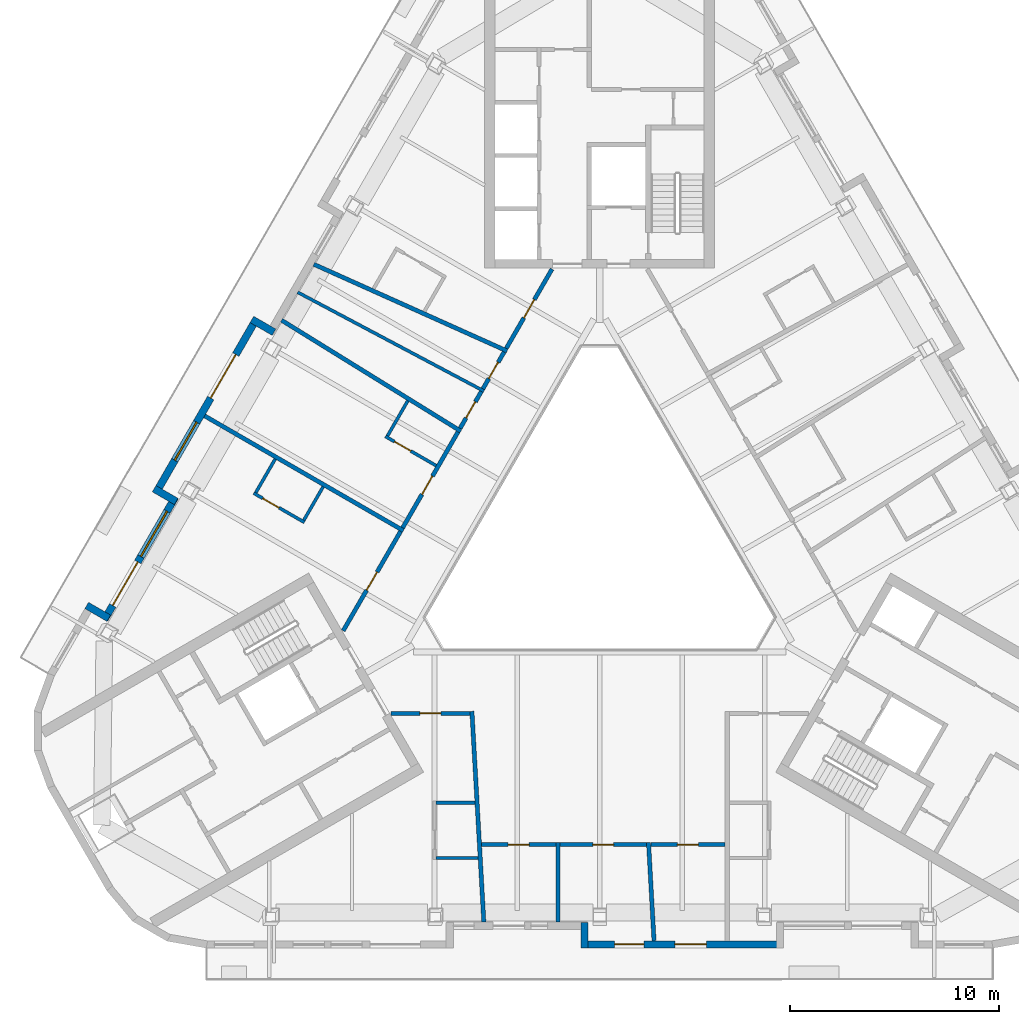
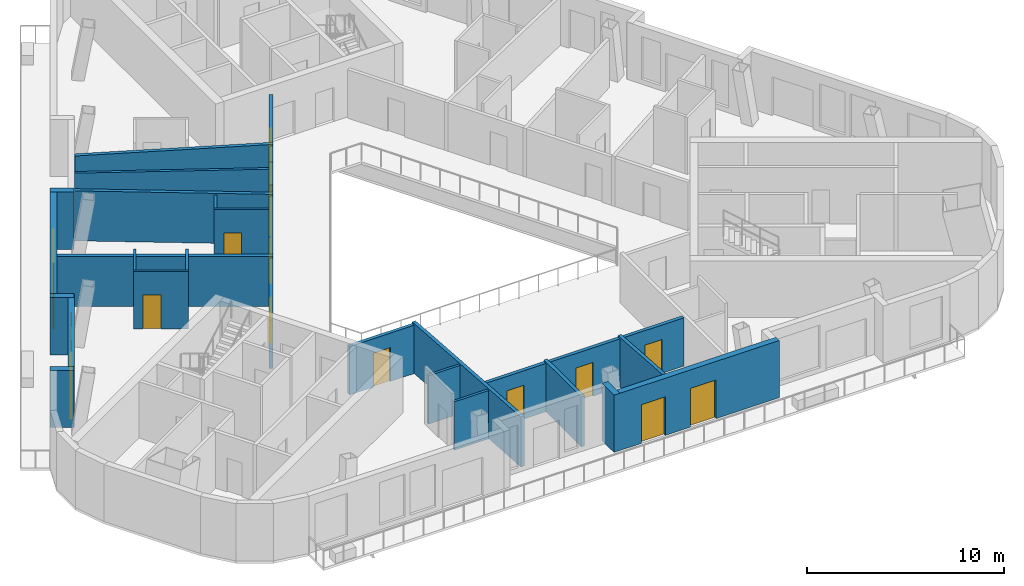
# One storey, part 4 of 14: 30 walls, 15 doors, 2 windows, 17 openings.
"""IFC4 building model written with IfcOpenShell, lengths in metres."""

from ifc_helpers import new_model, si_unit, direction, frame, frame_2d, origin, place, context, subcontext, project, spatial, rectangle, extrude, material, layer, layer_set, type_object, element, fill, save


model = new_model("IFC4")

# Units and contexts
model_context = context("Model", 3, precision=1e-05, world=origin(), true_north=direction((0.0, 1.0)))
body_context = subcontext(model_context, "Body", "Model", "MODEL_VIEW")
ifc_project = project(units=[si_unit("LENGTHUNIT", "METRE"), si_unit("AREAUNIT", "SQUARE_METRE"), si_unit("VOLUMEUNIT", "CUBIC_METRE"), si_unit("PLANEANGLEUNIT", "RADIAN"), si_unit("MASSUNIT", "GRAM", prefix="KILO")], contexts=[model_context])

# Site, building, storey
site_placement = place(None, origin())
site = spatial("IfcSite", under=ifc_project, at=site_placement, CompositionType="ELEMENT")
building_placement = place(site_placement, origin())
building = spatial("IfcBuilding", under=site, at=building_placement, Name="Apuvela Tower Hotel", CompositionType="ELEMENT")
storey_placement = place(building_placement, frame((0.0, 0.0, 254.10009765625)))
storey = spatial("IfcBuildingStorey", under=building, at=storey_placement, Name="L62", CompositionType="ELEMENT", Elevation=254.10009765625)

# Wall
ifc_material_1 = material(Name="Concrete C40/50, dark pigmented precast panel", Category="concrete")
ifc_layer_1 = layer(ifc_material_1, 0.35009765625)
ifc_layer_set_1 = layer_set([ifc_layer_1], Name="ENV-WALL-350")
wall_type_1 = type_object("IfcWallType", Name="ENV-WALL-350", PredefinedType="SOLIDWALL", material=ifc_layer_set_1)
wall_1_placement = place(storey_placement, frame((-15.580810546875, 9.8330078125, 0.0), z_axis=(0.0, 0.0, 1.0), x_axis=(-0.866055662726, 0.499947586314, 0.0)))
element("IfcWall", 1, at=wall_1_placement, inside=storey, type_object=wall_type_1, Name="External wall L62-04", PredefinedType="SOLIDWALL", context=body_context, shape_type="SweptSolid", body=[
    extrude(rectangle(XDim=1.220458984375, YDim=0.35009765625, at=frame_2d((0.6103515625, 0.0))), origin(), (0.0, 0.0, 1.0), 3.5498046875),
])

# Wall, openings, door, window
wall_2_placement = place(storey_placement, frame((-16.3984375, 10.507080078125, 0.0), z_axis=(0.0, 0.0, 1.0), x_axis=(-0.499999142773, -0.866025898704, 0.0)))
wall_2 = element("IfcWall", 2, at=wall_2_placement, inside=storey, type_object=wall_type_1, Name="External wall L62-05", PredefinedType="SOLIDWALL", context=body_context, shape_type="SweptSolid", body=[
    extrude(rectangle(XDim=9.7001953125, YDim=0.35009765625, at=frame_2d((4.85009765625, 0.0))), origin(), (0.0, 0.0, 1.0), 3.5498046875),
])
opening_1_placement = place(wall_2_placement, frame((2.014404296875, 0.0, 0.0)))
opening_1 = element("IfcOpeningElement", 3, at=opening_1_placement, cuts=wall_2, Name="Opening BD24", PredefinedType="OPENING", context=body_context, shape_type="SweptSolid", body=[
    extrude(rectangle(XDim=2.39990234375, YDim=2.39990234375, at=frame_2d((1.199951171875, 1.199951171875))), frame((0.0, 0.18505859375, 0.0), z_axis=(0.0, -1.0, 0.0), x_axis=(1.0, 0.0, 0.0)), (0.0, 0.0, 1.0), 0.3701171875),
])
opening_2_placement = place(wall_2_placement, frame((5.75, 0.0, 0.300048828125)))
opening_2 = element("IfcOpeningElement", 4, at=opening_2_placement, cuts=wall_2, Name="Opening WN21", PredefinedType="OPENING", context=body_context, shape_type="SweptSolid", body=[
    extrude(rectangle(XDim=2.10009765625, YDim=2.64990234375, at=frame_2d((1.050048828125, 1.324951171875))), frame((0.0, 0.18505859375, 0.0), z_axis=(0.0, -1.0, 0.0), x_axis=(1.0, 0.0, 0.0)), (0.0, 0.0, 1.0), 0.3701171875),
])
ifc_material_2 = material(Name="Aluminium 6063-T6, dark bronze anodised frame with dark tinted laminated glass", Category="aluminium")
door_type_1 = type_object("IfcDoorType", Name="ENV-DOOR-BALCONY-2400x2400", OperationType="SLIDING_TO_LEFT", PredefinedType="DOOR", material=ifc_material_2)
door_1_placement = place(opening_1_placement, frame((2.39990234375, 0.0, 0.0), z_axis=(0.0, 0.0, 1.0), x_axis=(-1.0, 0.0, 0.0)))
door_1 = element("IfcDoor", 5, at=door_1_placement, inside=storey, type_object=door_type_1, Name="Balcony door BD24", OperationType="SLIDING_TO_LEFT", OverallHeight=2.39990234375, OverallWidth=2.39990234375, PredefinedType="DOOR", context=body_context, shape_type="SweptSolid", body=[
    extrude(rectangle(XDim=2.39990234375, YDim=2.39990234375, at=frame_2d((1.199951171875, 1.199951171875))), frame((0.0, 0.02490234375, 0.0), z_axis=(0.0, -1.0, 0.0), x_axis=(1.0, 0.0, 0.0)), (0.0, 0.0, 1.0), 0.050048828125),
])
fill(opening_1, door_1)
ifc_material_3 = material(Name="Glass, dark tinted laminated insulated glazing unit", Category="glass")
window_type_1 = type_object("IfcWindowType", Name="ENV-WIN-2100x2650", PartitioningType="SINGLE_PANEL", PredefinedType="WINDOW", material=ifc_material_3)
window_1_placement = place(opening_2_placement, origin())
window_1 = element("IfcWindow", 6, at=window_1_placement, inside=storey, type_object=window_type_1, Name="Window WN21", OverallHeight=2.64990234375, OverallWidth=2.10009765625, PartitioningType="SINGLE_PANEL", PredefinedType="WINDOW", context=body_context, shape_type="SweptSolid", body=[
    extrude(rectangle(XDim=2.10009765625, YDim=2.64990234375, at=frame_2d((1.050048828125, 1.324951171875))), frame((0.0, 0.030029296875, 0.0), z_axis=(0.0, -1.0, 0.0), x_axis=(1.0, 0.0, 0.0)), (0.0, 0.0, 1.0), 0.06005859375),
])
fill(opening_2, window_1)

# Wall
wall_3_placement = place(storey_placement, frame((-21.3125, 2.345703125, 0.0), z_axis=(0.0, 0.0, 1.0), x_axis=(0.866005645448, -0.500034220881, 0.0)))
element("IfcWall", 7, at=wall_3_placement, inside=storey, type_object=wall_type_1, Name="External wall L62-06", PredefinedType="SOLIDWALL", context=body_context, shape_type="SweptSolid", body=[
    extrude(rectangle(XDim=1.22021484375, YDim=0.35009765625, at=frame_2d((0.610107421875, 0.0))), origin(), (0.0, 0.0, 1.0), 3.5498046875),
])

# Wall, openings, door, window
wall_4_placement = place(storey_placement, frame((-20.30908203125, 1.93359375, 0.0), z_axis=(0.0, 0.0, 1.0), x_axis=(-0.499992114976, -0.866029956157, 0.0)))
wall_4 = element("IfcWall", 8, at=wall_4_placement, inside=storey, type_object=wall_type_1, Name="External wall L62-07", PredefinedType="SOLIDWALL", context=body_context, shape_type="SweptSolid", body=[
    extrude(rectangle(XDim=6.73974609375, YDim=0.35009765625, at=frame_2d((3.369873046875, 0.0))), origin(), (0.0, 0.0, 1.0), 3.5498046875),
])
opening_3_placement = place(wall_4_placement, frame((3.570068359375, 0.0, 0.0)))
opening_3 = element("IfcOpeningElement", 9, at=opening_3_placement, cuts=wall_4, Name="Opening BD24", PredefinedType="OPENING", context=body_context, shape_type="SweptSolid", body=[
    extrude(rectangle(XDim=2.39990234375, YDim=2.39990234375, at=frame_2d((1.199951171875, 1.199951171875))), frame((0.0, 0.18505859375, 0.0), z_axis=(0.0, -1.0, 0.0), x_axis=(1.0, 0.0, 0.0)), (0.0, 0.0, 1.0), 0.3701171875),
])
opening_4_placement = place(wall_4_placement, frame((0.77001953125, 0.0, 0.300048828125)))
opening_4 = element("IfcOpeningElement", 10, at=opening_4_placement, cuts=wall_4, Name="Opening WN25", PredefinedType="OPENING", context=body_context, shape_type="SweptSolid", body=[
    extrude(rectangle(XDim=2.5, YDim=2.64990234375, at=frame_2d((1.25, 1.324951171875))), frame((0.0, 0.18505859375, 0.0), z_axis=(0.0, -1.0, 0.0), x_axis=(1.0, 0.0, 0.0)), (0.0, 0.0, 1.0), 0.3701171875),
])
door_2_placement = place(opening_3_placement, frame((2.39990234375, 0.0, 0.0), z_axis=(0.0, 0.0, 1.0), x_axis=(-1.0, 0.0, 0.0)))
door_2 = element("IfcDoor", 11, at=door_2_placement, inside=storey, type_object=door_type_1, Name="Balcony door BD24", OperationType="SLIDING_TO_LEFT", OverallHeight=2.39990234375, OverallWidth=2.39990234375, PredefinedType="DOOR", context=body_context, shape_type="SweptSolid", body=[
    extrude(rectangle(XDim=2.39990234375, YDim=2.39990234375, at=frame_2d((1.199951171875, 1.199951171875))), frame((0.0, 0.02490234375, 0.0), z_axis=(0.0, -1.0, 0.0), x_axis=(1.0, 0.0, 0.0)), (0.0, 0.0, 1.0), 0.050048828125),
])
fill(opening_3, door_2)
window_type_2 = type_object("IfcWindowType", Name="ENV-WIN-2500x2650", PartitioningType="SINGLE_PANEL", PredefinedType="WINDOW", material=ifc_material_3)
window_2_placement = place(opening_4_placement, origin())
window_2 = element("IfcWindow", 12, at=window_2_placement, inside=storey, type_object=window_type_2, Name="Window WN25", OverallHeight=2.64990234375, OverallWidth=2.5, PartitioningType="SINGLE_PANEL", PredefinedType="WINDOW", context=body_context, shape_type="SweptSolid", body=[
    extrude(rectangle(XDim=2.5, YDim=2.64990234375, at=frame_2d((1.25, 1.324951171875))), frame((0.0, 0.030029296875, 0.0), z_axis=(0.0, -1.0, 0.0), x_axis=(1.0, 0.0, 0.0)), (0.0, 0.0, 1.0), 0.06005859375),
])
fill(opening_4, window_2)

# Walls
for number, where, z_axis, x_axis, name in (
    (13, (-23.48095703125, -3.85009765625, 0.0), (0.0, 0.0, 1.0), (-0.866092288191, 0.499884134912, 0.0), "External wall L62-08"),
    (14, (-0.72509765625, -18.409912109375, 0.0), (0.0, 0.0, 1.0), (0.0, -1.0, 0.0), "External wall L62-20"),
):
    element("IfcWall", number, at=place(storey_placement, frame(where, z_axis=z_axis, x_axis=x_axis)), inside=storey, type_object=wall_type_1, Name=name, PredefinedType="SOLIDWALL", context=body_context, shape_type="SweptSolid", body=[
        extrude(rectangle(XDim=1.219970703125, YDim=0.35009765625, at=frame_2d((0.60986328125, 0.0))), origin(), (0.0, 0.0, 1.0), 3.5498046875),
    ])

# Wall, openings, doors
wall_5_placement = place(storey_placement, frame((-0.89990234375, -19.455078125, 0.0), z_axis=(0.0, 0.0, 1.0), x_axis=(1.0, 0.0, 0.0)))
wall_5 = element("IfcWall", 15, at=wall_5_placement, inside=storey, type_object=wall_type_1, Name="External wall L62-21", PredefinedType="SOLIDWALL", context=body_context, shape_type="SweptSolid", body=[
    extrude(rectangle(XDim=9.699951171875, YDim=0.35009765625, at=frame_2d((4.85009765625, 0.0))), origin(), (0.0, 0.0, 1.0), 3.5498046875),
])
opening_5_placement = place(wall_5_placement, frame((1.614501953125, 0.0, 0.0)))
opening_5 = element("IfcOpeningElement", 16, at=opening_5_placement, cuts=wall_5, Name="Opening BD14", PredefinedType="OPENING", context=body_context, shape_type="SweptSolid", body=[
    extrude(rectangle(XDim=1.39990234375, YDim=2.39990234375, at=frame_2d((0.699951171875, 1.199951171875))), frame((0.0, 0.18505859375, 0.0), z_axis=(0.0, -1.0, 0.0), x_axis=(1.0, 0.0, 0.0)), (0.0, 0.0, 1.0), 0.3701171875),
])
opening_6_placement = place(wall_5_placement, frame((4.5, 0.0, 0.0)))
opening_6 = element("IfcOpeningElement", 17, at=opening_6_placement, cuts=wall_5, Name="Opening BD15", PredefinedType="OPENING", context=body_context, shape_type="SweptSolid", body=[
    extrude(rectangle(XDim=1.5, YDim=2.39990234375, at=frame_2d((0.75, 1.199951171875))), frame((0.0, 0.18505859375, 0.0), z_axis=(0.0, -1.0, 0.0), x_axis=(1.0, 0.0, 0.0)), (0.0, 0.0, 1.0), 0.3701171875),
])
door_type_2 = type_object("IfcDoorType", Name="ENV-DOOR-BALCONY-1400x2400", OperationType="SLIDING_TO_LEFT", PredefinedType="DOOR", material=ifc_material_2)
door_3_placement = place(opening_5_placement, frame((1.39990234375, 0.0, 0.0), z_axis=(0.0, 0.0, 1.0), x_axis=(-1.0, 0.0, 0.0)))
door_3 = element("IfcDoor", 18, at=door_3_placement, inside=storey, type_object=door_type_2, Name="Balcony door BD14", OperationType="SLIDING_TO_LEFT", OverallHeight=2.39990234375, OverallWidth=1.39990234375, PredefinedType="DOOR", context=body_context, shape_type="SweptSolid", body=[
    extrude(rectangle(XDim=1.39990234375, YDim=2.39990234375, at=frame_2d((0.699951171875, 1.199951171875))), frame((0.0, 0.02490234375, 0.0), z_axis=(0.0, -1.0, 0.0), x_axis=(1.0, 0.0, 0.0)), (0.0, 0.0, 1.0), 0.050048828125),
])
fill(opening_5, door_3)
door_type_3 = type_object("IfcDoorType", Name="ENV-DOOR-BALCONY-1500x2400", OperationType="SLIDING_TO_LEFT", PredefinedType="DOOR", material=ifc_material_2)
door_4_placement = place(opening_6_placement, frame((1.5, 0.0, 0.0), z_axis=(0.0, 0.0, 1.0), x_axis=(-1.0, 0.0, 0.0)))
door_4 = element("IfcDoor", 19, at=door_4_placement, inside=storey, type_object=door_type_3, Name="Balcony door BD15", OperationType="SLIDING_TO_LEFT", OverallHeight=2.39990234375, OverallWidth=1.5, PredefinedType="DOOR", context=body_context, shape_type="SweptSolid", body=[
    extrude(rectangle(XDim=1.5, YDim=2.39990234375, at=frame_2d((0.75, 1.199951171875))), frame((0.0, 0.02490234375, 0.0), z_axis=(0.0, -1.0, 0.0), x_axis=(1.0, 0.0, 0.0)), (0.0, 0.0, 1.0), 0.050048828125),
])
fill(opening_6, door_4)

# Walls
ifc_material_4 = material(Name="Gypsum board partition on twin steel stud", Category="steel")
ifc_layer_2 = layer(ifc_material_4, 0.199951171875)
ifc_layer_set_2 = layer_set([ifc_layer_2], Name="GST-PW1")
wall_type_2 = type_object("IfcWallType", Name="GST-PW1", PredefinedType="PARTITIONING", material=ifc_layer_set_2)
wall_6_placement = place(storey_placement, frame((-5.541015625, -18.3798828125, 0.0), z_axis=(0.0, 0.0, 1.0), x_axis=(-0.056489207214, 0.998403209865, 0.0)))
element("IfcWall", 20, at=wall_6_placement, inside=storey, type_object=wall_type_2, Name="L62 partition 01", PredefinedType="PARTITIONING", context=body_context, shape_type="SweptSolid", body=[
    extrude(rectangle(XDim=10.095947265625, YDim=0.199951171875, at=frame_2d((5.0478515625, 0.0))), origin(), (0.0, 0.0, 1.0), 3.099853515625),
])
wall_7_placement = place(storey_placement, frame((-2.0, -18.3798828125, 0.0), z_axis=(0.0, 0.0, 1.0), x_axis=(0.0, 1.0, 0.0)))
element("IfcWall", 21, at=wall_7_placement, inside=storey, type_object=wall_type_2, Name="L62 partition 02", PredefinedType="PARTITIONING", context=body_context, shape_type="SweptSolid", body=[
    extrude(rectangle(XDim=3.7998046875, YDim=0.199951171875, at=frame_2d((1.89990234375, 0.0))), origin(), (0.0, 0.0, 1.0), 3.099853515625),
])
wall_8_placement = place(storey_placement, frame((2.60009765625, -19.280029296875, 0.0), z_axis=(0.0, 0.0, 1.0), x_axis=(-0.055599282702, 0.99845316353, 0.0)))
element("IfcWall", 22, at=wall_8_placement, inside=storey, type_object=wall_type_2, Name="L62 partition 03", PredefinedType="PARTITIONING", context=body_context, shape_type="SweptSolid", body=[
    extrude(rectangle(XDim=4.707275390625, YDim=0.199951171875, at=frame_2d((2.353515625, 0.0))), origin(), (0.0, 0.0, 1.0), 3.099853515625),
])
wall_9_placement = place(storey_placement, frame((-13.671630859375, 13.080078125, 0.0), z_axis=(0.0, 0.0, 1.0), x_axis=(0.912311972773, -0.409495866077, 0.0)))
element("IfcWall", 23, at=wall_9_placement, inside=storey, type_object=wall_type_2, Name="L62 partition 08", PredefinedType="PARTITIONING", context=body_context, shape_type="SweptSolid", body=[
    extrude(rectangle(XDim=10.13232421875, YDim=0.199951171875, at=frame_2d((5.066162109375, 0.0))), origin(), (0.0, 0.0, 1.0), 3.099853515625),
])
wall_10_placement = place(storey_placement, frame((-15.21630859375, 10.404541015625, 0.0), z_axis=(0.0, 0.0, 1.0), x_axis=(0.85032395783, -0.52625960014, 0.0)))
element("IfcWall", 24, at=wall_10_placement, inside=storey, type_object=wall_type_2, Name="L62 partition 09", PredefinedType="PARTITIONING", context=body_context, shape_type="SweptSolid", body=[
    extrude(rectangle(XDim=10.084716796875, YDim=0.199951171875, at=frame_2d((5.04248046875, 0.0))), origin(), (0.0, 0.0, 1.0), 3.099853515625),
])
wall_11_placement = place(storey_placement, frame((-18.89697265625, 5.82958984375, 0.0), z_axis=(0.0, 0.0, 1.0), x_axis=(0.866027479907, -0.499996404033, 0.0)))
element("IfcWall", 25, at=wall_11_placement, inside=storey, type_object=wall_type_2, Name="L62 partition 10", PredefinedType="PARTITIONING", context=body_context, shape_type="SweptSolid", body=[
    extrude(rectangle(XDim=10.97998046875, YDim=0.199951171875, at=frame_2d((5.489990234375, 0.0))), origin(), (0.0, 0.0, 1.0), 3.099853515625),
])

# Wall, opening, door
ifc_material_5 = material(Name="Gypsum board corridor wall on twin steel stud, acoustic", Category="steel")
ifc_layer_3 = layer(ifc_material_5, 0.199951171875)
ifc_layer_set_3 = layer_set([ifc_layer_3], Name="GST-PW2")
wall_type_3 = type_object("IfcWallType", Name="GST-PW2", PredefinedType="PARTITIONING", material=ifc_layer_set_3)
wall_12_placement = place(storey_placement, frame((-6.205810546875, -8.39990234375, 0.0), z_axis=(0.0, 0.0, 1.0), x_axis=(-1.0, 0.0, 0.0)))
wall_12 = element("IfcWall", 26, at=wall_12_placement, inside=storey, type_object=wall_type_3, Name="L62 partition 11", PredefinedType="PARTITIONING", context=body_context, shape_type="SweptSolid", body=[
    extrude(rectangle(XDim=3.782470703125, YDim=0.199951171875, at=frame_2d((1.89111328125, 0.0))), origin(), (0.0, 0.0, 1.0), 3.0),
])
opening_7_placement = place(wall_12_placement, frame((1.39111328125, 0.0, 0.0)))
opening_7 = element("IfcOpeningElement", 27, at=opening_7_placement, cuts=wall_12, Name="Opening GD24-02", PredefinedType="OPENING", context=body_context, shape_type="SweptSolid", body=[
    extrude(rectangle(XDim=1.0, YDim=2.10009765625, at=frame_2d((0.5, 1.050048828125))), frame((0.0, 0.10986328125, 0.0), z_axis=(0.0, -1.0, 0.0), x_axis=(1.0, 0.0, 0.0)), (0.0, 0.0, 1.0), 0.219970703125),
])
ifc_material_6 = material(Name="Timber door leaf in steel frame", Category="steel")
door_type_4 = type_object("IfcDoorType", Name="GST-D1", OperationType="NOTDEFINED", PredefinedType="DOOR", material=ifc_material_6)
door_5_placement = place(opening_7_placement, origin())
door_5 = element("IfcDoor", 28, at=door_5_placement, inside=storey, type_object=door_type_4, Name="Door L62-02", OperationType="SINGLE_SWING_LEFT", OverallHeight=2.10009765625, OverallWidth=1.0, PredefinedType="DOOR", context=body_context, shape_type="SweptSolid", body=[
    extrude(rectangle(XDim=1.0, YDim=2.10009765625, at=frame_2d((0.5, 1.050048828125))), frame((0.0, 0.02490234375, 0.0), z_axis=(0.0, -1.0, 0.0), x_axis=(1.0, 0.0, 0.0)), (0.0, 0.0, 1.0), 0.050048828125),
])
fill(opening_7, door_5)

wall_13_placement = place(storey_placement, frame((-2.10009765625, -14.679931640625, 0.0), z_axis=(0.0, 0.0, 1.0), x_axis=(-1.0, 0.0, 0.0)))
wall_13 = element("IfcWall", 29, at=wall_13_placement, inside=storey, type_object=wall_type_3, Name="L62 partition 15", PredefinedType="PARTITIONING", context=body_context, shape_type="SweptSolid", body=[
    extrude(rectangle(XDim=3.550048828125, YDim=0.199951171875, at=frame_2d((1.77490234375, 0.0))), origin(), (0.0, 0.0, 1.0), 3.0),
])
opening_8_placement = place(wall_13_placement, frame((1.275146484375, 0.0, 0.0)))
opening_8 = element("IfcOpeningElement", 30, at=opening_8_placement, cuts=wall_13, Name="Opening GD24-03", PredefinedType="OPENING", context=body_context, shape_type="SweptSolid", body=[
    extrude(rectangle(XDim=1.0, YDim=2.10009765625, at=frame_2d((0.5, 1.050048828125))), frame((0.0, 0.10986328125, 0.0), z_axis=(0.0, -1.0, 0.0), x_axis=(1.0, 0.0, 0.0)), (0.0, 0.0, 1.0), 0.219970703125),
])
door_6_placement = place(opening_8_placement, origin())
door_6 = element("IfcDoor", 31, at=door_6_placement, inside=storey, type_object=door_type_4, Name="Door L62-03", OperationType="SINGLE_SWING_LEFT", OverallHeight=2.10009765625, OverallWidth=1.0, PredefinedType="DOOR", context=body_context, shape_type="SweptSolid", body=[
    extrude(rectangle(XDim=1.0, YDim=2.10009765625, at=frame_2d((0.5, 1.050048828125))), frame((0.0, 0.02490234375, 0.0), z_axis=(0.0, -1.0, 0.0), x_axis=(1.0, 0.0, 0.0)), (0.0, 0.0, 1.0), 0.050048828125),
])
fill(opening_8, door_6)

wall_14_placement = place(storey_placement, frame((2.243896484375, -14.679931640625, 0.0), z_axis=(0.0, 0.0, 1.0), x_axis=(-1.0, 0.0, 0.0)))
wall_14 = element("IfcWall", 32, at=wall_14_placement, inside=storey, type_object=wall_type_3, Name="L62 partition 16", PredefinedType="PARTITIONING", context=body_context, shape_type="SweptSolid", body=[
    extrude(rectangle(XDim=4.143798828125, YDim=0.199951171875, at=frame_2d((2.07177734375, 0.0))), origin(), (0.0, 0.0, 1.0), 3.0),
])
opening_9_placement = place(wall_14_placement, frame((1.572021484375, 0.0, 0.0)))
opening_9 = element("IfcOpeningElement", 33, at=opening_9_placement, cuts=wall_14, Name="Opening GD24-04", PredefinedType="OPENING", context=body_context, shape_type="SweptSolid", body=[
    extrude(rectangle(XDim=1.0, YDim=2.10009765625, at=frame_2d((0.5, 1.050048828125))), frame((0.0, 0.10986328125, 0.0), z_axis=(0.0, -1.0, 0.0), x_axis=(1.0, 0.0, 0.0)), (0.0, 0.0, 1.0), 0.219970703125),
])
door_7_placement = place(opening_9_placement, origin())
door_7 = element("IfcDoor", 34, at=door_7_placement, inside=storey, type_object=door_type_4, Name="Door L62-04", OperationType="SINGLE_SWING_LEFT", OverallHeight=2.10009765625, OverallWidth=1.0, PredefinedType="DOOR", context=body_context, shape_type="SweptSolid", body=[
    extrude(rectangle(XDim=1.0, YDim=2.10009765625, at=frame_2d((0.5, 1.050048828125))), frame((0.0, 0.02490234375, 0.0), z_axis=(0.0, -1.0, 0.0), x_axis=(1.0, 0.0, 0.0)), (0.0, 0.0, 1.0), 0.050048828125),
])
fill(opening_9, door_7)

wall_15_placement = place(storey_placement, frame((6.0, -14.679931640625, 0.0), z_axis=(0.0, 0.0, 1.0), x_axis=(-1.0, 0.0, 0.0)))
wall_15 = element("IfcWall", 35, at=wall_15_placement, inside=storey, type_object=wall_type_3, Name="L62 partition 17", PredefinedType="PARTITIONING", context=body_context, shape_type="SweptSolid", body=[
    extrude(rectangle(XDim=3.555908203125, YDim=0.199951171875, at=frame_2d((1.77783203125, 0.0))), origin(), (0.0, 0.0, 1.0), 3.0),
])
opening_10_placement = place(wall_15_placement, frame((1.27783203125, 0.0, 0.0)))
opening_10 = element("IfcOpeningElement", 36, at=opening_10_placement, cuts=wall_15, Name="Opening GD24-05", PredefinedType="OPENING", context=body_context, shape_type="SweptSolid", body=[
    extrude(rectangle(XDim=1.0, YDim=2.10009765625, at=frame_2d((0.5, 1.050048828125))), frame((0.0, 0.10986328125, 0.0), z_axis=(0.0, -1.0, 0.0), x_axis=(1.0, 0.0, 0.0)), (0.0, 0.0, 1.0), 0.219970703125),
])
door_8_placement = place(opening_10_placement, origin())
door_8 = element("IfcDoor", 37, at=door_8_placement, inside=storey, type_object=door_type_4, Name="Door L62-05", OperationType="SINGLE_SWING_LEFT", OverallHeight=2.10009765625, OverallWidth=1.0, PredefinedType="DOOR", context=body_context, shape_type="SweptSolid", body=[
    extrude(rectangle(XDim=1.0, YDim=2.10009765625, at=frame_2d((0.5, 1.050048828125))), frame((0.0, 0.02490234375, 0.0), z_axis=(0.0, -1.0, 0.0), x_axis=(1.0, 0.0, 0.0)), (0.0, 0.0, 1.0), 0.050048828125),
])
fill(opening_10, door_8)

wall_16_placement = place(storey_placement, frame((-4.46923828125, 9.05908203125, 0.0), z_axis=(0.0, 0.0, 1.0), x_axis=(0.499996027077, 0.86602769754, 0.0)))
wall_16 = element("IfcWall", 38, at=wall_16_placement, inside=storey, type_object=wall_type_3, Name="L62 partition 36", PredefinedType="PARTITIONING", context=body_context, shape_type="SweptSolid", body=[
    extrude(rectangle(XDim=4.37744140625, YDim=0.199951171875, at=frame_2d((2.188720703125, 0.0))), origin(), (0.0, 0.0, 1.0), 3.0),
])
opening_11_placement = place(wall_16_placement, frame((1.688720703125, 0.0, 0.0)))
opening_11 = element("IfcOpeningElement", 39, at=opening_11_placement, cuts=wall_16, Name="Opening GD24-17", PredefinedType="OPENING", context=body_context, shape_type="SweptSolid", body=[
    extrude(rectangle(XDim=1.0, YDim=2.10009765625, at=frame_2d((0.5, 1.050048828125))), frame((0.0, 0.10986328125, 0.0), z_axis=(0.0, -1.0, 0.0), x_axis=(1.0, 0.0, 0.0)), (0.0, 0.0, 1.0), 0.219970703125),
])
door_9_placement = place(opening_11_placement, origin())
door_9 = element("IfcDoor", 40, at=door_9_placement, inside=storey, type_object=door_type_4, Name="Door L62-17", OperationType="SINGLE_SWING_LEFT", OverallHeight=2.10009765625, OverallWidth=1.0, PredefinedType="DOOR", context=body_context, shape_type="SweptSolid", body=[
    extrude(rectangle(XDim=1.0, YDim=2.10009765625, at=frame_2d((0.5, 1.050048828125))), frame((0.0, 0.02490234375, 0.0), z_axis=(0.0, -1.0, 0.0), x_axis=(1.0, 0.0, 0.0)), (0.0, 0.0, 1.0), 0.050048828125),
])
fill(opening_11, door_9)

wall_17_placement = place(storey_placement, frame((-5.585205078125, 7.1259765625, 0.0), z_axis=(0.0, 0.0, 1.0), x_axis=(0.499927092639, 0.866067492777, 0.0)))
wall_17 = element("IfcWall", 41, at=wall_17_placement, inside=storey, type_object=wall_type_3, Name="L62 partition 41", PredefinedType="PARTITIONING", context=body_context, shape_type="SweptSolid", body=[
    extrude(rectangle(XDim=2.031005859375, YDim=0.199951171875, at=frame_2d((1.015625, 0.0))), origin(), (0.0, 0.0, 1.0), 3.0),
])
opening_12_placement = place(wall_17_placement, frame((0.565673828125, 0.0, 0.0)))
opening_12 = element("IfcOpeningElement", 42, at=opening_12_placement, cuts=wall_17, Name="Opening GD24-18", PredefinedType="OPENING", context=body_context, shape_type="SweptSolid", body=[
    extrude(rectangle(XDim=0.89990234375, YDim=2.10009765625, at=frame_2d((0.449951171875, 1.050048828125))), frame((0.0, 0.10986328125, 0.0), z_axis=(0.0, -1.0, 0.0), x_axis=(1.0, 0.0, 0.0)), (0.0, 0.0, 1.0), 0.219970703125),
])
door_type_5 = type_object("IfcDoorType", Name="GST-D2", OperationType="NOTDEFINED", PredefinedType="DOOR", material=ifc_material_6)
door_10_placement = place(opening_12_placement, origin())
door_10 = element("IfcDoor", 43, at=door_10_placement, inside=storey, type_object=door_type_5, Name="Door L62-18", OperationType="SINGLE_SWING_LEFT", OverallHeight=2.10009765625, OverallWidth=0.89990234375, PredefinedType="DOOR", context=body_context, shape_type="SweptSolid", body=[
    extrude(rectangle(XDim=0.89990234375, YDim=2.10009765625, at=frame_2d((0.449951171875, 1.050048828125))), frame((0.0, 0.02490234375, 0.0), z_axis=(0.0, -1.0, 0.0), x_axis=(1.0, 0.0, 0.0)), (0.0, 0.0, 1.0), 0.050048828125),
])
fill(opening_12, door_10)

wall_18_placement = place(storey_placement, frame((-6.676025390625, 5.236572265625, 0.0), z_axis=(0.0, 0.0, 1.0), x_axis=(0.499913168514, 0.866075530163, 0.0)))
wall_18 = element("IfcWall", 44, at=wall_18_placement, inside=storey, type_object=wall_type_3, Name="L62 partition 42", PredefinedType="PARTITIONING", context=body_context, shape_type="SweptSolid", body=[
    extrude(rectangle(XDim=2.031494140625, YDim=0.199951171875, at=frame_2d((1.015625, 0.0))), origin(), (0.0, 0.0, 1.0), 3.5498046875),
])
opening_13_placement = place(wall_18_placement, frame((0.56591796875, 0.0, 0.0)))
opening_13 = element("IfcOpeningElement", 45, at=opening_13_placement, cuts=wall_18, Name="Opening GD24-19", PredefinedType="OPENING", context=body_context, shape_type="SweptSolid", body=[
    extrude(rectangle(XDim=0.89990234375, YDim=2.10009765625, at=frame_2d((0.449951171875, 1.050048828125))), frame((0.0, 0.10986328125, 0.0), z_axis=(0.0, -1.0, 0.0), x_axis=(1.0, 0.0, 0.0)), (0.0, 0.0, 1.0), 0.219970703125),
])
door_11_placement = place(opening_13_placement, origin())
door_11 = element("IfcDoor", 46, at=door_11_placement, inside=storey, type_object=door_type_5, Name="Door L62-19", OperationType="SINGLE_SWING_RIGHT", OverallHeight=2.10009765625, OverallWidth=0.89990234375, PredefinedType="DOOR", context=body_context, shape_type="SweptSolid", body=[
    extrude(rectangle(XDim=0.89990234375, YDim=2.10009765625, at=frame_2d((0.449951171875, 1.050048828125))), frame((0.0, 0.02490234375, 0.0), z_axis=(0.0, -1.0, 0.0), x_axis=(1.0, 0.0, 0.0)), (0.0, 0.0, 1.0), 0.050048828125),
])
fill(opening_13, door_11)

wall_19_placement = place(storey_placement, frame((-9.424560546875, 0.47607421875, 0.0), z_axis=(0.0, 0.0, 1.0), x_axis=(0.500005731256, 0.866022094817, 0.0)))
wall_19 = element("IfcWall", 47, at=wall_19_placement, inside=storey, type_object=wall_type_3, Name="L62 partition 43", PredefinedType="PARTITIONING", context=body_context, shape_type="SweptSolid", body=[
    extrude(rectangle(XDim=5.296875, YDim=0.199951171875, at=frame_2d((2.6484375, 0.0))), origin(), (0.0, 0.0, 1.0), 3.0),
])
opening_14_placement = place(wall_19_placement, frame((1.849853515625, 0.0, 0.0)))
opening_14 = element("IfcOpeningElement", 48, at=opening_14_placement, cuts=wall_19, Name="Opening GD24-21", PredefinedType="OPENING", context=body_context, shape_type="SweptSolid", body=[
    extrude(rectangle(XDim=1.0, YDim=2.10009765625, at=frame_2d((0.5, 1.050048828125))), frame((0.0, 0.10986328125, 0.0), z_axis=(0.0, -1.0, 0.0), x_axis=(1.0, 0.0, 0.0)), (0.0, 0.0, 1.0), 0.219970703125),
])
door_12_placement = place(opening_14_placement, origin())
door_12 = element("IfcDoor", 49, at=door_12_placement, inside=storey, type_object=door_type_4, Name="Door L62-21", OperationType="SINGLE_SWING_LEFT", OverallHeight=2.10009765625, OverallWidth=1.0, PredefinedType="DOOR", context=body_context, shape_type="SweptSolid", body=[
    extrude(rectangle(XDim=1.0, YDim=2.10009765625, at=frame_2d((0.5, 1.050048828125))), frame((0.0, 0.02490234375, 0.0), z_axis=(0.0, -1.0, 0.0), x_axis=(1.0, 0.0, 0.0)), (0.0, 0.0, 1.0), 0.050048828125),
])
fill(opening_14, door_12)

wall_20_placement = place(storey_placement, frame((-12.268798828125, -4.449951171875, 0.0), z_axis=(0.0, 0.0, 1.0), x_axis=(0.500004836318, 0.866022611517, 0.0)))
wall_20 = element("IfcWall", 50, at=wall_20_placement, inside=storey, type_object=wall_type_3, Name="L62 partition 46", PredefinedType="PARTITIONING", context=body_context, shape_type="SweptSolid", body=[
    extrude(rectangle(XDim=5.48828125, YDim=0.199951171875, at=frame_2d((2.744140625, 0.0))), origin(), (0.0, 0.0, 1.0), 3.0),
])
opening_15_placement = place(wall_20_placement, frame((2.244140625, 0.0, 0.0)))
opening_15 = element("IfcOpeningElement", 51, at=opening_15_placement, cuts=wall_20, Name="Opening GD24-23", PredefinedType="OPENING", context=body_context, shape_type="SweptSolid", body=[
    extrude(rectangle(XDim=1.0, YDim=2.10009765625, at=frame_2d((0.5, 1.050048828125))), frame((0.0, 0.10986328125, 0.0), z_axis=(0.0, -1.0, 0.0), x_axis=(1.0, 0.0, 0.0)), (0.0, 0.0, 1.0), 0.219970703125),
])
door_13_placement = place(opening_15_placement, origin())
door_13 = element("IfcDoor", 52, at=door_13_placement, inside=storey, type_object=door_type_4, Name="Door L62-23", OperationType="SINGLE_SWING_RIGHT", OverallHeight=2.10009765625, OverallWidth=1.0, PredefinedType="DOOR", context=body_context, shape_type="SweptSolid", body=[
    extrude(rectangle(XDim=1.0, YDim=2.10009765625, at=frame_2d((0.5, 1.050048828125))), frame((0.0, 0.02490234375, 0.0), z_axis=(0.0, -1.0, 0.0), x_axis=(1.0, 0.0, 0.0)), (0.0, 0.0, 1.0), 0.050048828125),
])
fill(opening_15, door_13)

# Walls
ifc_material_7 = material(Name="Moisture-resistant gypsum board wet wall on steel stud", Category="steel")
ifc_layer_4 = layer(ifc_material_7, 0.14990234375)
ifc_layer_set_4 = layer_set([ifc_layer_4], Name="GST-PW3")
wall_type_4 = type_object("IfcWallType", Name="GST-PW3", PredefinedType="PARTITIONING", material=ifc_layer_set_4)
wall_21_placement = place(storey_placement, frame((-7.818115234375, -15.324951171875, 0.0), z_axis=(0.0, 0.0, 1.0), x_axis=(1.0, 0.0, 0.0)))
element("IfcWall", 53, at=wall_21_placement, inside=storey, type_object=wall_type_4, Name="L62 partition 13", PredefinedType="PARTITIONING", context=body_context, shape_type="SweptSolid", body=[
    extrude(rectangle(XDim=2.004150390625, YDim=0.14990234375, at=frame_2d((1.001953125, 0.0))), origin(), (0.0, 0.0, 1.0), 3.0),
])
wall_22_placement = place(storey_placement, frame((-7.818115234375, -12.675048828125, 0.0), z_axis=(0.0, 0.0, 1.0), x_axis=(1.0, 0.0, 0.0)))
element("IfcWall", 54, at=wall_22_placement, inside=storey, type_object=wall_type_4, Name="L62 partition 14", PredefinedType="PARTITIONING", context=body_context, shape_type="SweptSolid", body=[
    extrude(rectangle(XDim=1.854248046875, YDim=0.14990234375, at=frame_2d((0.92724609375, 0.0))), origin(), (0.0, 0.0, 1.0), 3.0),
])
wall_23_placement = place(storey_placement, frame((-14.444091796875, 11.7421875, 0.0), z_axis=(0.0, 0.0, 1.0), x_axis=(0.88333061271, -0.468750497225, 0.0)))
element("IfcWall", 55, at=wall_23_placement, inside=storey, type_object=wall_type_4, Name="L62 partition 40", PredefinedType="PARTITIONING", context=body_context, shape_type="SweptSolid", body=[
    extrude(rectangle(XDim=10.08642578125, YDim=0.14990234375, at=frame_2d((5.043212890625, 0.0))), origin(), (0.0, 0.0, 1.0), 3.099853515625),
])

# Wall, opening, door
wall_24_placement = place(storey_placement, frame((-10.24853515625, 4.848876953125, 0.0), z_axis=(0.0, 0.0, 1.0), x_axis=(0.866034573852, -0.49998411664, 0.0)))
wall_24 = element("IfcWall", 56, at=wall_24_placement, inside=storey, type_object=wall_type_4, Name="L62 partition 44", PredefinedType="PARTITIONING", context=body_context, shape_type="SweptSolid", body=[
    extrude(rectangle(XDim=2.7998046875, YDim=0.14990234375, at=frame_2d((1.39990234375, 0.0))), origin(), (0.0, 0.0, 1.0), 3.5498046875),
])
opening_16_placement = place(wall_24_placement, frame((0.5, 0.0, 0.0)))
opening_16 = element("IfcOpeningElement", 57, at=opening_16_placement, cuts=wall_24, Name="Opening GD24-20", PredefinedType="OPENING", context=body_context, shape_type="SweptSolid", body=[
    extrude(rectangle(XDim=0.89990234375, YDim=2.10009765625, at=frame_2d((0.449951171875, 1.050048828125))), frame((0.0, 0.0849609375, 0.0), z_axis=(0.0, -1.0, 0.0), x_axis=(1.0, 0.0, 0.0)), (0.0, 0.0, 1.0), 0.169921875),
])
door_14_placement = place(opening_16_placement, origin())
door_14 = element("IfcDoor", 58, at=door_14_placement, inside=storey, type_object=door_type_5, Name="Door L62-20", OperationType="SINGLE_SWING_LEFT", OverallHeight=2.10009765625, OverallWidth=0.89990234375, PredefinedType="DOOR", context=body_context, shape_type="SweptSolid", body=[
    extrude(rectangle(XDim=0.89990234375, YDim=2.10009765625, at=frame_2d((0.449951171875, 1.050048828125))), frame((0.0, 0.02490234375, 0.0), z_axis=(0.0, -1.0, 0.0), x_axis=(1.0, 0.0, 0.0)), (0.0, 0.0, 1.0), 0.050048828125),
])
fill(opening_16, door_14)

# Wall
wall_25_placement = place(storey_placement, frame((-9.179443359375, 6.55078125, 0.0), z_axis=(0.0, 0.0, 1.0), x_axis=(-0.499995691662, -0.86602789119, 0.0)))
element("IfcWall", 59, at=wall_25_placement, inside=storey, type_object=wall_type_4, Name="L62 partition 45", PredefinedType="PARTITIONING", context=body_context, shape_type="SweptSolid", body=[
    extrude(rectangle(XDim=1.93359375, YDim=0.14990234375, at=frame_2d((0.966796875, 0.0))), origin(), (0.0, 0.0, 1.0), 3.0),
])

# Wall, opening, door
wall_26_placement = place(storey_placement, frame((-16.54931640625, 2.1357421875, 0.0), z_axis=(0.0, 0.0, 1.0), x_axis=(0.866034573852, -0.49998411664, 0.0)))
wall_26 = element("IfcWall", 60, at=wall_26_placement, inside=storey, type_object=wall_type_4, Name="L62 partition 47", PredefinedType="PARTITIONING", context=body_context, shape_type="SweptSolid", body=[
    extrude(rectangle(XDim=2.7998046875, YDim=0.14990234375, at=frame_2d((1.39990234375, 0.0))), origin(), (0.0, 0.0, 1.0), 3.5498046875),
])
opening_17_placement = place(wall_26_placement, frame((0.5, 0.0, 0.0)))
opening_17 = element("IfcOpeningElement", 61, at=opening_17_placement, cuts=wall_26, Name="Opening GD24-22", PredefinedType="OPENING", context=body_context, shape_type="SweptSolid", body=[
    extrude(rectangle(XDim=0.89990234375, YDim=2.10009765625, at=frame_2d((0.449951171875, 1.050048828125))), frame((0.0, 0.0849609375, 0.0), z_axis=(0.0, -1.0, 0.0), x_axis=(1.0, 0.0, 0.0)), (0.0, 0.0, 1.0), 0.169921875),
])
door_15_placement = place(opening_17_placement, origin())
door_15 = element("IfcDoor", 62, at=door_15_placement, inside=storey, type_object=door_type_5, Name="Door L62-22", OperationType="SINGLE_SWING_LEFT", OverallHeight=2.10009765625, OverallWidth=0.89990234375, PredefinedType="DOOR", context=body_context, shape_type="SweptSolid", body=[
    extrude(rectangle(XDim=0.89990234375, YDim=2.10009765625, at=frame_2d((0.449951171875, 1.050048828125))), frame((0.0, 0.02490234375, 0.0), z_axis=(0.0, -1.0, 0.0), x_axis=(1.0, 0.0, 0.0)), (0.0, 0.0, 1.0), 0.050048828125),
])
fill(opening_17, door_15)

# Walls
for number, where, z_axis, x_axis, name in (
    (63, (-15.521728515625, 3.765380859375, 0.0), (0.0, 0.0, 1.0), (-0.499985172903, -0.866033964044, 0.0), "L62 partition 48"),
    (64, (-13.226806640625, 2.4404296875, 0.0), (0.0, 0.0, 1.0), (-0.499985172903, -0.866033964044, 0.0), "L62 partition 49"),
):
    element("IfcWall", number, at=place(storey_placement, frame(where, z_axis=z_axis, x_axis=x_axis)), inside=storey, type_object=wall_type_4, Name=name, PredefinedType="PARTITIONING", context=body_context, shape_type="SweptSolid", body=[
        extrude(rectangle(XDim=1.85009765625, YDim=0.14990234375, at=frame_2d((0.925048828125, 0.0))), origin(), (0.0, 0.0, 1.0), 3.5498046875),
    ])

save(model, "model.ifc")
